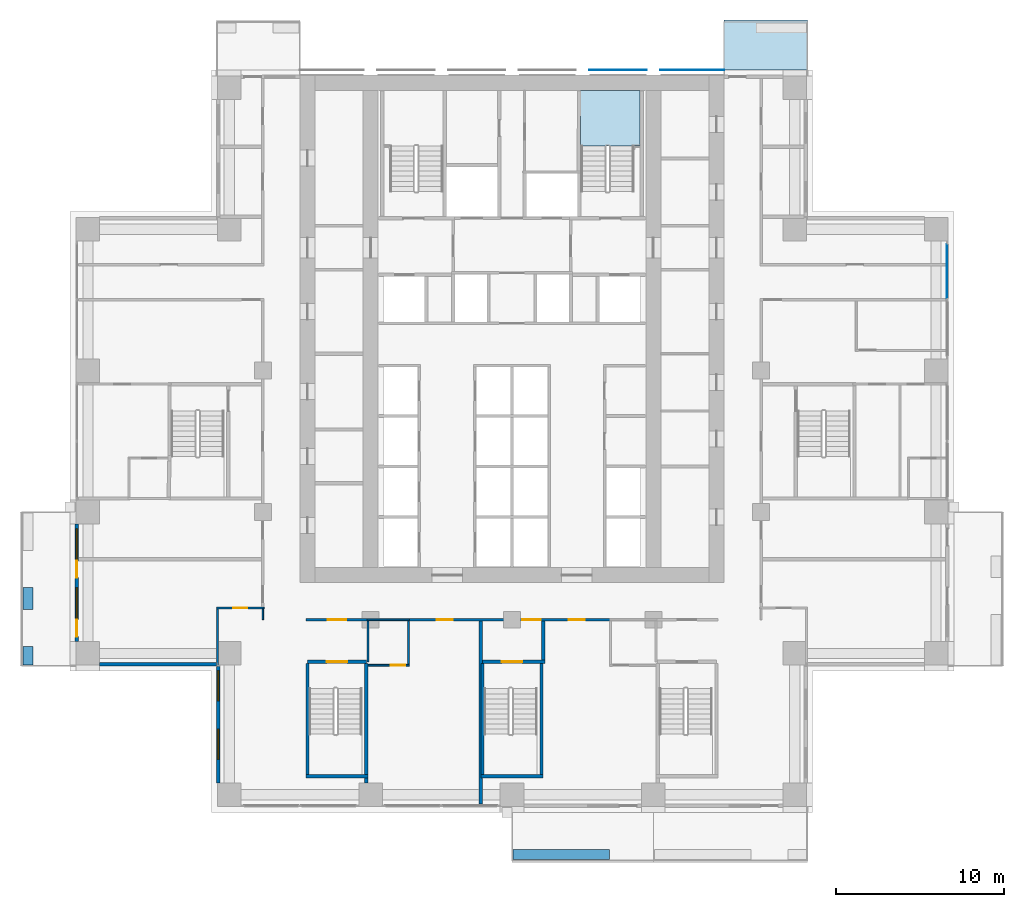
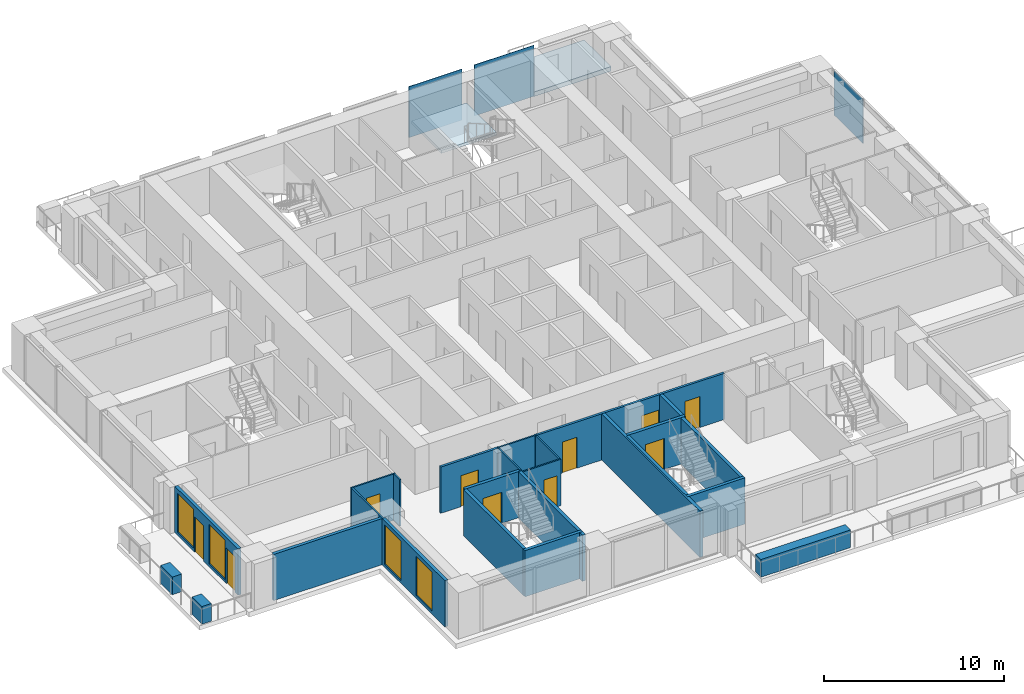
# One storey, part 8 of 17: 25 walls, 10 doors, 4 windows, 3 plates, 2 slabs, 14 openings, 2 elements without a shape of their own.
"""IFC4 building model written with IfcOpenShell, lengths in metres."""

from ifc_helpers import new_model, si_unit, direction, frame, frame_2d, origin, origin_2d, place, context, subcontext, project, spatial, polyline, rectangle, outline, extrude, material, layer, layer_set, type_object, element, fill, aggregate, save


model = new_model("IFC4")

# Units and contexts
model_context = context("Model", 3, precision=1e-05, world=origin(), true_north=direction((0.0, 1.0)))
body_context = subcontext(model_context, "Body", "Model", "MODEL_VIEW")
ifc_project = project(units=[si_unit("LENGTHUNIT", "METRE"), si_unit("AREAUNIT", "SQUARE_METRE"), si_unit("VOLUMEUNIT", "CUBIC_METRE"), si_unit("PLANEANGLEUNIT", "RADIAN"), si_unit("MASSUNIT", "GRAM", prefix="KILO")], contexts=[model_context])

# Site, building, storey
site_placement = place(None, origin())
site = spatial("IfcSite", under=ifc_project, at=site_placement, CompositionType="ELEMENT")
building_placement = place(site_placement, origin())
building = spatial("IfcBuilding", under=site, at=building_placement, Name="Vermilion Ogive Tower", CompositionType="ELEMENT")
storey_placement = place(building_placement, frame((0.0, 0.0, 65.550048828125)))
storey = spatial("IfcBuildingStorey", under=building, at=storey_placement, Name="L15", CompositionType="ELEMENT", Elevation=65.550048828125)

# Slab
ifc_material_1 = material(Name="Concrete B40", Category="concrete")
ifc_layer_1 = layer(ifc_material_1, 0.300048828125)
ifc_layer_set_1 = layer_set([ifc_layer_1], Name="Balcony slab")
slab_type_1 = type_object("IfcSlabType", Name="Balcony slab", PredefinedType="FLOOR", material=ifc_layer_set_1)
slab_1_placement = place(storey_placement, frame((0.0, 0.0, -0.340087890625)))
element("IfcSlab", 1, at=slab_1_placement, inside=storey, type_object=slab_type_1, Name="Balcony slab N101", PredefinedType="FLOOR", context=body_context, shape_type="SweptSolid", body=[
    extrude(outline(polyline([(17.550048828125, 25.030029296875), (12.60009765625, 25.030029296875), (12.60009765625, 22.050048828125), (17.550048828125, 22.050048828125), (17.550048828125, 25.030029296875)])), origin(), (0.0, 0.0, 1.0), 0.300048828125),
])

# Curtain wall, plate
ifc_material_2 = material(Name="Low-iron laminated glazing in aluminium frame", Category="aluminium")
curtain_wall_type = type_object("IfcCurtainWallType", Name="Curtain wall CW7", PredefinedType="NOTDEFINED", material=ifc_material_2)
curtain_wall_placement = place(storey_placement, origin())
curtain_wall = element("IfcCurtainWall", 2, at=curtain_wall_placement, inside=storey, type_object=curtain_wall_type, Name="Glazed skin E3", PredefinedType="NOTDEFINED")
ifc_material_3 = material(Name="Low-iron laminated glazing in aluminium frame", Category="aluminium")
ifc_layer_2 = layer(ifc_material_3, 0.031982421875)
ifc_layer_set_2 = layer_set([ifc_layer_2], Name="CW7 glazing panel 32")
plate_type_1 = type_object("IfcPlateType", Name="CW7 glazing panel 32", PredefinedType="CURTAIN_PANEL", material=ifc_layer_set_2)
plate_1_placement = place(storey_placement, frame((25.85009765625, 10.10498046875, 0.06005859375), z_axis=(0.0, 0.0, 1.0), x_axis=(0.0, 1.0, 0.0)))
plate_1 = element("IfcPlate", 3, at=plate_1_placement, type_object=plate_type_1, Name="CW7-E3 panel 2.1", PredefinedType="CURTAIN_PANEL", context=body_context, shape_type="SweptSolid", body=[
    extrude(rectangle(XDim=3.22998046875, YDim=0.031982421875, at=origin_2d()), origin(), (0.0, 0.0, 1.0), 3.010009765625),
])
aggregate(curtain_wall, [plate_1])

# Plates
ifc_material_4 = material(Name="Low-iron laminated glazing in aluminium frame", Category="aluminium")
ifc_layer_3 = layer(ifc_material_4, 0.031982421875)
ifc_layer_set_3 = layer_set([ifc_layer_3], Name="Glazed rainscreen sheet 32")
plate_type_2 = type_object("IfcPlateType", Name="Glazed rainscreen sheet 32", PredefinedType="SHEET", material=ifc_layer_set_3)
plate_2_placement = place(storey_placement, frame((6.300048828125, 22.06591796875, -0.31982421875), z_axis=(0.0, 0.0, 1.0), x_axis=(1.0, 0.0, 0.0)))
element("IfcPlate", 4, at=plate_2_placement, inside=storey, type_object=plate_type_2, Name="Glazed rainscreen sheet N5", PredefinedType="SHEET", context=body_context, shape_type="SweptSolid", body=[
    extrude(rectangle(XDim=3.39990234375, YDim=0.031982421875, at=origin_2d()), origin(), (0.0, 0.0, 1.0), 3.449951171875),
])
plate_3_placement = place(storey_placement, frame((10.7099609375, 22.06591796875, -0.31982421875), z_axis=(0.0, 0.0, 1.0), x_axis=(1.0, 0.0, 0.0)))
element("IfcPlate", 5, at=plate_3_placement, inside=storey, type_object=plate_type_2, Name="Glazed rainscreen sheet N6", PredefinedType="SHEET", context=body_context, shape_type="SweptSolid", body=[
    extrude(rectangle(XDim=3.820068359375, YDim=0.031982421875, at=origin_2d()), origin(), (0.0, 0.0, 1.0), 3.449951171875),
])

# Stair, slab
ifc_material_5 = material(Name="Concrete B40", Category="concrete")
stair_type = type_object("IfcStairType", Name="Exit stair 1500", PredefinedType="HALF_TURN_STAIR", material=ifc_material_5)
stair_placement = place(storey_placement, origin())
stair = element("IfcStair", 6, at=stair_placement, inside=storey, type_object=stair_type, Name="L15 Exit Stair ST2", PredefinedType="HALF_TURN_STAIR")
ifc_material_6 = material(Name="Concrete B40", Category="concrete")
ifc_layer_4 = layer(ifc_material_6, 0.199951171875)
ifc_layer_set_4 = layer_set([ifc_layer_4], Name="Stair landing 200")
slab_type_2 = type_object("IfcSlabType", Name="Stair landing 200", PredefinedType="LANDING", material=ifc_layer_set_4)
slab_2_placement = place(storey_placement, frame((0.0, 0.0, 1.52490234375)))
slab_2 = element("IfcSlab", 7, at=slab_2_placement, type_object=slab_type_2, Name="ST2 landing 1", PredefinedType="LANDING", context=body_context, shape_type="SweptSolid", body=[
    extrude(outline(polyline([(5.60009765625, 17.550048828125), (5.75, 17.550048828125), (5.75, 17.548095703125), (7.25, 17.548095703125), (7.25, 17.550048828125), (7.60009765625, 17.550048828125), (7.60009765625, 20.85009765625), (4.074951171875, 20.85009765625), (4.074951171875, 17.550048828125), (4.10009765625, 17.550048828125), (4.10009765625, 17.548095703125), (5.60009765625, 17.548095703125), (5.60009765625, 17.550048828125)])), origin(), (0.0, 0.0, 1.0), 0.199951171875),
])
aggregate(stair, [slab_2])

# Wall, opening, door
ifc_material_7 = material(Name="Gypsum board partition on steel studs", Category="steel")
ifc_layer_5 = layer(ifc_material_7, 0.10009765625)
ifc_layer_set_5 = layer_set([ifc_layer_5], Name="Partition 100 bath")
wall_type_1 = type_object("IfcWallType", Name="Partition 100 bath", PredefinedType="PARTITIONING", material=ifc_layer_set_5)
wall_1_placement = place(storey_placement, frame((-8.550048828125, -13.300048828125, 0.0), z_axis=(0.0, 0.0, 1.0), x_axis=(1.0, 0.0, 0.0)))
wall_1 = element("IfcWall", 8, at=wall_1_placement, inside=storey, type_object=wall_type_1, Name="L15-W-W002", PredefinedType="PARTITIONING", context=body_context, shape_type="SweptSolid", body=[
    extrude(rectangle(XDim=2.449951171875, YDim=0.10009765625, at=frame_2d((1.22509765625, 0.0))), origin(), (0.0, 0.0, 1.0), 3.1298828125),
])
opening_1_placement = place(wall_1_placement, frame((1.35009765625, 0.0, 0.0)))
opening_1 = element("IfcOpeningElement", 9, at=opening_1_placement, cuts=wall_1, Name="Opening D1G5009", PredefinedType="OPENING", context=body_context, shape_type="SweptSolid", body=[
    extrude(rectangle(XDim=0.85009765625, YDim=2.10009765625, at=frame_2d((0.425048828125, 1.050048828125))), frame((0.0, 0.06005859375, 0.0), z_axis=(0.0, -1.0, 0.0), x_axis=(1.0, 0.0, 0.0)), (0.0, 0.0, 1.0), 0.1201171875),
])
ifc_material_8 = material(Name="Timber door leaf", Category="wood")
door_type_1 = type_object("IfcDoorType", Name="Bath door 850 x 2100 FD30", OperationType="SINGLE_SWING_LEFT", PredefinedType="DOOR", material=ifc_material_8)
door_1_placement = place(opening_1_placement, origin())
door_1 = element("IfcDoor", 10, at=door_1_placement, inside=storey, type_object=door_type_1, Name="L15-D-D009", OperationType="SINGLE_SWING_LEFT", OverallHeight=2.10009765625, OverallWidth=0.85009765625, PredefinedType="DOOR", context=body_context, shape_type="SweptSolid", body=[
    extrude(rectangle(XDim=0.85009765625, YDim=2.10009765625, at=frame_2d((0.425048828125, 1.050048828125))), frame((0.0, 0.02490234375, 0.0), z_axis=(0.0, -1.0, 0.0), x_axis=(1.0, 0.0, 0.0)), (0.0, 0.0, 1.0), 0.050048828125),
])
fill(opening_1, door_1)

# Wall
wall_2_placement = place(storey_placement, frame((-8.60009765625, -10.60009765625, 0.0), z_axis=(0.0, 0.0, 1.0), x_axis=(1.0, 0.0, 0.0)))
element("IfcWall", 11, at=wall_2_placement, inside=storey, type_object=wall_type_1, Name="L15-W-W008", PredefinedType="PARTITIONING", context=body_context, shape_type="SweptSolid", body=[
    extrude(rectangle(XDim=2.5, YDim=0.10009765625, at=frame_2d((1.25, 0.0))), origin(), (0.0, 0.0, 1.0), 3.1298828125),
])

# Wall, opening, door
wall_3_placement = place(storey_placement, frame((-17.550048828125, -9.89990234375, 0.0), z_axis=(0.0, 0.0, 1.0), x_axis=(1.0, 0.0, 0.0)))
wall_3 = element("IfcWall", 12, at=wall_3_placement, inside=storey, type_object=wall_type_1, Name="L15-W-W012", PredefinedType="PARTITIONING", context=body_context, shape_type="SweptSolid", body=[
    extrude(rectangle(XDim=2.824951171875, YDim=0.10009765625, at=frame_2d((1.41259765625, 0.0))), origin(), (0.0, 0.0, 1.0), 3.1298828125),
])
opening_2_placement = place(wall_3_placement, frame((0.97509765625, 0.0, 0.0)))
opening_2 = element("IfcOpeningElement", 13, at=opening_2_placement, cuts=wall_3, Name="Opening D1G5002", PredefinedType="OPENING", context=body_context, shape_type="SweptSolid", body=[
    extrude(rectangle(XDim=0.85009765625, YDim=2.10009765625, at=frame_2d((0.425048828125, 1.050048828125))), frame((0.0, 0.06005859375, 0.0), z_axis=(0.0, -1.0, 0.0), x_axis=(1.0, 0.0, 0.0)), (0.0, 0.0, 1.0), 0.1201171875),
])
door_2_placement = place(opening_2_placement, origin())
door_2 = element("IfcDoor", 14, at=door_2_placement, inside=storey, type_object=door_type_1, Name="L15-D-D002", OperationType="SINGLE_SWING_RIGHT", OverallHeight=2.10009765625, OverallWidth=0.85009765625, PredefinedType="DOOR", context=body_context, shape_type="SweptSolid", body=[
    extrude(rectangle(XDim=0.85009765625, YDim=2.10009765625, at=frame_2d((0.425048828125, 1.050048828125))), frame((0.0, 0.02490234375, 0.0), z_axis=(0.0, -1.0, 0.0), x_axis=(1.0, 0.0, 0.0)), (0.0, 0.0, 1.0), 0.050048828125),
])
fill(opening_2, door_2)

# Walls
wall_4_placement = place(storey_placement, frame((-17.5, -13.35009765625, 0.0), z_axis=(0.0, 0.0, 1.0), x_axis=(0.0, 1.0, 0.0)))
element("IfcWall", 15, at=wall_4_placement, inside=storey, type_object=wall_type_1, Name="L15-W-W039", PredefinedType="PARTITIONING", context=body_context, shape_type="SweptSolid", body=[
    extrude(rectangle(XDim=3.400146484375, YDim=0.10009765625, at=frame_2d((1.7001953125, 0.0))), origin(), (0.0, 0.0, 1.0), 3.1298828125),
])
wall_5_placement = place(storey_placement, frame((-14.800048828125, -10.60009765625, 0.0), z_axis=(0.0, 0.0, 1.0), x_axis=(0.0, 1.0, 0.0)))
element("IfcWall", 16, at=wall_5_placement, inside=storey, type_object=wall_type_1, Name="L15-W-W041", PredefinedType="PARTITIONING", context=body_context, shape_type="SweptSolid", body=[
    extrude(rectangle(XDim=0.650146484375, YDim=0.10009765625, at=frame_2d((0.3251953125, 0.0))), origin(), (0.0, 0.0, 1.0), 3.1298828125),
])
wall_6_placement = place(storey_placement, frame((-8.550048828125, -13.10009765625, 0.0), z_axis=(0.0, 0.0, 1.0), x_axis=(0.0, 1.0, 0.0)))
element("IfcWall", 17, at=wall_6_placement, inside=storey, type_object=wall_type_1, Name="L15-W-W044", PredefinedType="PARTITIONING", context=body_context, shape_type="SweptSolid", body=[
    extrude(rectangle(XDim=2.425048828125, YDim=0.10009765625, at=frame_2d((1.21240234375, 0.0))), origin(), (0.0, 0.0, 1.0), 3.1298828125),
])
wall_7_placement = place(storey_placement, frame((-6.14990234375, -13.25, 0.0), z_axis=(0.0, 0.0, 1.0), x_axis=(0.0, 1.0, 0.0)))
element("IfcWall", 18, at=wall_7_placement, inside=storey, type_object=wall_type_1, Name="L15-W-W045", PredefinedType="PARTITIONING", context=body_context, shape_type="SweptSolid", body=[
    extrude(rectangle(XDim=2.574951171875, YDim=0.10009765625, at=frame_2d((1.28759765625, 0.0))), origin(), (0.0, 0.0, 1.0), 3.1298828125),
])

# Wall, opening, door
ifc_material_9 = material(Name="Gypsum board partition on steel studs", Category="steel")
ifc_layer_6 = layer(ifc_material_9, 0.14990234375)
ifc_layer_set_6 = layer_set([ifc_layer_6], Name="Partition 150 corridor")
wall_type_2 = type_object("IfcWallType", Name="Partition 150 corridor", PredefinedType="PARTITIONING", material=ifc_layer_set_6)
wall_8_placement = place(storey_placement, frame((-12.25, -10.60009765625, 0.0), z_axis=(0.0, 0.0, 1.0), x_axis=(1.0, 0.0, 0.0)))
wall_8 = element("IfcWall", 19, at=wall_8_placement, inside=storey, type_object=wall_type_2, Name="L15-W-W007", PredefinedType="PARTITIONING", context=body_context, shape_type="SweptSolid", body=[
    extrude(rectangle(XDim=3.75, YDim=0.14990234375, at=frame_2d((1.875, 0.0))), origin(), (0.0, 0.0, 1.0), 3.1298828125),
])
opening_3_placement = place(wall_8_placement, frame((1.300048828125, 0.0, 0.0)))
opening_3 = element("IfcOpeningElement", 20, at=opening_3_placement, cuts=wall_8, Name="Opening D1G5021", PredefinedType="OPENING", context=body_context, shape_type="SweptSolid", body=[
    extrude(rectangle(XDim=1.10009765625, YDim=2.10009765625, at=frame_2d((0.550048828125, 1.050048828125))), frame((0.0, 0.0849609375, 0.0), z_axis=(0.0, -1.0, 0.0), x_axis=(1.0, 0.0, 0.0)), (0.0, 0.0, 1.0), 0.169921875),
])
ifc_material_10 = material(Name="Timber door leaf", Category="wood")
door_type_2 = type_object("IfcDoorType", Name="Stair door 1100 x 2100 FD60S", OperationType="SINGLE_SWING_LEFT", PredefinedType="DOOR", material=ifc_material_10)
door_3_placement = place(opening_3_placement, origin())
door_3 = element("IfcDoor", 21, at=door_3_placement, inside=storey, type_object=door_type_2, Name="L15-D-D021", OperationType="SINGLE_SWING_RIGHT", OverallHeight=2.10009765625, OverallWidth=1.10009765625, PredefinedType="DOOR", context=body_context, shape_type="SweptSolid", body=[
    extrude(rectangle(XDim=1.10009765625, YDim=2.10009765625, at=frame_2d((0.550048828125, 1.050048828125))), frame((0.0, 0.02490234375, 0.0), z_axis=(0.0, -1.0, 0.0), x_axis=(1.0, 0.0, 0.0)), (0.0, 0.0, 1.0), 0.050048828125),
])
fill(opening_3, door_3)

# Wall, openings, doors
wall_9_placement = place(storey_placement, frame((-6.199951171875, -10.60009765625, 0.0), z_axis=(0.0, 0.0, 1.0), x_axis=(1.0, 0.0, 0.0)))
wall_9 = element("IfcWall", 22, at=wall_9_placement, inside=storey, type_object=wall_type_2, Name="L15-W-W009", PredefinedType="PARTITIONING", context=body_context, shape_type="SweptSolid", body=[
    extrude(rectangle(XDim=12.099853515625, YDim=0.14990234375, at=frame_2d((6.0498046875, 0.0))), origin(), (0.0, 0.0, 1.0), 3.1298828125),
])
opening_4_placement = place(wall_9_placement, frame((1.724853515625, 0.0, 0.0)))
opening_4 = element("IfcOpeningElement", 23, at=opening_4_placement, cuts=wall_9, Name="Opening D1G5008", PredefinedType="OPENING", context=body_context, shape_type="SweptSolid", body=[
    extrude(rectangle(XDim=0.949951171875, YDim=2.10009765625, at=frame_2d((0.47509765625, 1.050048828125))), frame((0.0, 0.0849609375, 0.0), z_axis=(0.0, -1.0, 0.0), x_axis=(1.0, 0.0, 0.0)), (0.0, 0.0, 1.0), 0.169921875),
])
opening_5_placement = place(wall_9_placement, frame((9.574951171875, 0.0, 0.0)))
opening_5 = element("IfcOpeningElement", 24, at=opening_5_placement, cuts=wall_9, Name="Opening D1G5010", PredefinedType="OPENING", context=body_context, shape_type="SweptSolid", body=[
    extrude(rectangle(XDim=0.949951171875, YDim=2.10009765625, at=frame_2d((0.47509765625, 1.050048828125))), frame((0.0, 0.0849609375, 0.0), z_axis=(0.0, -1.0, 0.0), x_axis=(1.0, 0.0, 0.0)), (0.0, 0.0, 1.0), 0.169921875),
])
opening_6_placement = place(wall_9_placement, frame((6.800048828125, 0.0, 0.0)))
opening_6 = element("IfcOpeningElement", 25, at=opening_6_placement, cuts=wall_9, Name="Opening D1G5023", PredefinedType="OPENING", context=body_context, shape_type="SweptSolid", body=[
    extrude(rectangle(XDim=1.10009765625, YDim=2.10009765625, at=frame_2d((0.550048828125, 1.050048828125))), frame((0.0, 0.0849609375, 0.0), z_axis=(0.0, -1.0, 0.0), x_axis=(1.0, 0.0, 0.0)), (0.0, 0.0, 1.0), 0.169921875),
])
door_4_placement = place(opening_6_placement, origin())
door_4 = element("IfcDoor", 26, at=door_4_placement, inside=storey, type_object=door_type_2, Name="L15-D-D023", OperationType="SINGLE_SWING_RIGHT", OverallHeight=2.10009765625, OverallWidth=1.10009765625, PredefinedType="DOOR", context=body_context, shape_type="SweptSolid", body=[
    extrude(rectangle(XDim=1.10009765625, YDim=2.10009765625, at=frame_2d((0.550048828125, 1.050048828125))), frame((0.0, 0.02490234375, 0.0), z_axis=(0.0, -1.0, 0.0), x_axis=(1.0, 0.0, 0.0)), (0.0, 0.0, 1.0), 0.050048828125),
])
fill(opening_6, door_4)
ifc_material_11 = material(Name="Timber door leaf", Category="wood")
door_type_3 = type_object("IfcDoorType", Name="Unit door 950 x 2100 FD30S", OperationType="SINGLE_SWING_LEFT", PredefinedType="DOOR", material=ifc_material_11)
door_5_placement = place(opening_4_placement, origin())
door_5 = element("IfcDoor", 27, at=door_5_placement, inside=storey, type_object=door_type_3, Name="L15-D-D008", OperationType="SINGLE_SWING_LEFT", OverallHeight=2.10009765625, OverallWidth=0.949951171875, PredefinedType="DOOR", context=body_context, shape_type="SweptSolid", body=[
    extrude(rectangle(XDim=0.949951171875, YDim=2.10009765625, at=frame_2d((0.47509765625, 1.050048828125))), frame((0.0, 0.02490234375, 0.0), z_axis=(0.0, -1.0, 0.0), x_axis=(1.0, 0.0, 0.0)), (0.0, 0.0, 1.0), 0.050048828125),
])
fill(opening_4, door_5)
door_6_placement = place(opening_5_placement, origin())
door_6 = element("IfcDoor", 28, at=door_6_placement, inside=storey, type_object=door_type_3, Name="L15-D-D010", OperationType="SINGLE_SWING_RIGHT", OverallHeight=2.10009765625, OverallWidth=0.949951171875, PredefinedType="DOOR", context=body_context, shape_type="SweptSolid", body=[
    extrude(rectangle(XDim=0.949951171875, YDim=2.10009765625, at=frame_2d((0.47509765625, 1.050048828125))), frame((0.0, 0.02490234375, 0.0), z_axis=(0.0, -1.0, 0.0), x_axis=(1.0, 0.0, 0.0)), (0.0, 0.0, 1.0), 0.050048828125),
])
fill(opening_5, door_6)

# Wall
ifc_material_12 = material(Name="Concrete B60", Category="concrete")
ifc_layer_7 = layer(ifc_material_12, 0.199951171875)
ifc_layer_set_7 = layer_set([ifc_layer_7], Name="Stair shaft wall 200 Concrete B60")
wall_type_3 = type_object("IfcWallType", Name="Stair shaft wall 200 Concrete B60", PredefinedType="SOLIDWALL", material=ifc_layer_set_7)
wall_10_placement = place(storey_placement, frame((-1.847900390625, -19.89990234375, 0.0), z_axis=(0.0, 0.0, 1.0), x_axis=(1.0, 0.0, 0.0)))
element("IfcWall", 29, at=wall_10_placement, inside=storey, type_object=wall_type_3, Name="L15-W-W001", PredefinedType="SOLIDWALL", context=body_context, shape_type="SweptSolid", body=[
    extrude(rectangle(XDim=3.69580078125, YDim=0.199951171875, at=frame_2d((1.847900390625, 0.0))), origin(), (0.0, 0.0, 1.0), 3.1298828125),
])

# Wall, opening, door
wall_11_placement = place(storey_placement, frame((-12.14990234375, -13.10009765625, 0.0), z_axis=(0.0, 0.0, 1.0), x_axis=(1.0, 0.0, 0.0)))
wall_11 = element("IfcWall", 30, at=wall_11_placement, inside=storey, type_object=wall_type_3, Name="L15-W-W004", PredefinedType="SOLIDWALL", context=body_context, shape_type="SweptSolid", body=[
    extrude(rectangle(XDim=3.5, YDim=0.199951171875, at=frame_2d((1.75, 0.0))), origin(), (0.0, 0.0, 1.0), 3.1298828125),
])
opening_7_placement = place(wall_11_placement, frame((1.14990234375, 0.0, 0.0)))
opening_7 = element("IfcOpeningElement", 31, at=opening_7_placement, cuts=wall_11, Name="Opening D1G5022", PredefinedType="OPENING", context=body_context, shape_type="SweptSolid", body=[
    extrude(rectangle(XDim=1.199951171875, YDim=2.10009765625, at=frame_2d((0.60009765625, 1.050048828125))), frame((0.0, 0.10986328125, 0.0), z_axis=(0.0, -1.0, 0.0), x_axis=(1.0, 0.0, 0.0)), (0.0, 0.0, 1.0), 0.219970703125),
])
ifc_material_13 = material(Name="Timber door leaf", Category="wood")
door_type_4 = type_object("IfcDoorType", Name="Stair door 1200 x 2100 FD60S", OperationType="SINGLE_SWING_LEFT", PredefinedType="DOOR", material=ifc_material_13)
door_7_placement = place(opening_7_placement, origin())
door_7 = element("IfcDoor", 32, at=door_7_placement, inside=storey, type_object=door_type_4, Name="L15-D-D022", OperationType="SINGLE_SWING_RIGHT", OverallHeight=2.10009765625, OverallWidth=1.199951171875, PredefinedType="DOOR", context=body_context, shape_type="SweptSolid", body=[
    extrude(rectangle(XDim=1.199951171875, YDim=2.10009765625, at=frame_2d((0.60009765625, 1.050048828125))), frame((0.0, 0.02490234375, 0.0), z_axis=(0.0, -1.0, 0.0), x_axis=(1.0, 0.0, 0.0)), (0.0, 0.0, 1.0), 0.050048828125),
])
fill(opening_7, door_7)

wall_12_placement = place(storey_placement, frame((-1.748046875, -13.10009765625, 0.0), z_axis=(0.0, 0.0, 1.0), x_axis=(1.0, 0.0, 0.0)))
wall_12 = element("IfcWall", 33, at=wall_12_placement, inside=storey, type_object=wall_type_3, Name="L15-W-W005", PredefinedType="SOLIDWALL", context=body_context, shape_type="SweptSolid", body=[
    extrude(rectangle(XDim=3.696044921875, YDim=0.199951171875, at=frame_2d((1.84814453125, 0.0))), origin(), (0.0, 0.0, 1.0), 3.1298828125),
])
opening_8_placement = place(wall_12_placement, frame((1.14794921875, 0.0, 0.0)))
opening_8 = element("IfcOpeningElement", 34, at=opening_8_placement, cuts=wall_12, Name="Opening D1G5024", PredefinedType="OPENING", context=body_context, shape_type="SweptSolid", body=[
    extrude(rectangle(XDim=1.199951171875, YDim=2.10009765625, at=frame_2d((0.60009765625, 1.050048828125))), frame((0.0, 0.10986328125, 0.0), z_axis=(0.0, -1.0, 0.0), x_axis=(1.0, 0.0, 0.0)), (0.0, 0.0, 1.0), 0.219970703125),
])
door_8_placement = place(opening_8_placement, origin())
door_8 = element("IfcDoor", 35, at=door_8_placement, inside=storey, type_object=door_type_4, Name="L15-D-D024", OperationType="SINGLE_SWING_RIGHT", OverallHeight=2.10009765625, OverallWidth=1.199951171875, PredefinedType="DOOR", context=body_context, shape_type="SweptSolid", body=[
    extrude(rectangle(XDim=1.199951171875, YDim=2.10009765625, at=frame_2d((0.60009765625, 1.050048828125))), frame((0.0, 0.02490234375, 0.0), z_axis=(0.0, -1.0, 0.0), x_axis=(1.0, 0.0, 0.0)), (0.0, 0.0, 1.0), 0.050048828125),
])
fill(opening_8, door_8)

# Walls
for number, where, z_axis, x_axis, name in (
    (36, (-1.75, -19.798095703125, 0.0), (0.0, 0.0, 1.0), (0.0, 1.0, 0.0), "L15-W-W047"),
    (37, (1.75, -19.798095703125, 0.0), (0.0, 0.0, 1.0), (0.0, 1.0, 0.0), "L15-W-W048"),
):
    element("IfcWall", number, at=place(storey_placement, frame(where, z_axis=z_axis, x_axis=x_axis)), inside=storey, type_object=wall_type_3, Name=name, PredefinedType="SOLIDWALL", context=body_context, shape_type="SweptSolid", body=[
        extrude(rectangle(XDim=6.59619140625, YDim=0.199951171875, at=frame_2d((3.298095703125, 0.0))), origin(), (0.0, 0.0, 1.0), 3.1298828125),
    ])
wall_13_placement = place(storey_placement, frame((1.85009765625, -12.998046875, 0.0), z_axis=(0.0, 0.0, 1.0), x_axis=(0.0, 1.0, 0.0)))
element("IfcWall", 38, at=wall_13_placement, inside=storey, type_object=wall_type_3, Name="L15-W-W049", PredefinedType="SOLIDWALL", context=body_context, shape_type="SweptSolid", body=[
    extrude(rectangle(XDim=2.322998046875, YDim=0.199951171875, at=frame_2d((1.16162109375, 0.0))), origin(), (0.0, 0.0, 1.0), 3.1298828125),
])
wall_14_placement = place(storey_placement, frame((-12.25, -19.89990234375, 0.0), z_axis=(0.0, 0.0, 1.0), x_axis=(1.0, 0.0, 0.0)))
element("IfcWall", 39, at=wall_14_placement, inside=storey, type_object=wall_type_3, Name="L15-SW-ST3-S1", PredefinedType="SOLIDWALL", context=body_context, shape_type="SweptSolid", body=[
    extrude(rectangle(XDim=3.699951171875, YDim=0.199951171875, at=frame_2d((1.85009765625, 0.0))), origin(), (0.0, 0.0, 1.0), 3.1298828125),
])
wall_15_placement = place(storey_placement, frame((-12.14990234375, -19.800048828125, 0.0), z_axis=(0.0, 0.0, 1.0), x_axis=(0.0, 1.0, 0.0)))
element("IfcWall", 40, at=wall_15_placement, inside=storey, type_object=wall_type_3, Name="L15-SW-ST3-W1", PredefinedType="SOLIDWALL", context=body_context, shape_type="SweptSolid", body=[
    extrude(rectangle(XDim=6.60009765625, YDim=0.199951171875, at=frame_2d((3.300048828125, 0.0))), origin(), (0.0, 0.0, 1.0), 3.1298828125),
])
wall_16_placement = place(storey_placement, frame((-8.64990234375, -20.300048828125, 0.0), z_axis=(0.0, 0.0, 1.0), x_axis=(0.0, 1.0, 0.0)))
element("IfcWall", 41, at=wall_16_placement, inside=storey, type_object=wall_type_3, Name="L15-SW-ST3-E1", PredefinedType="SOLIDWALL", context=body_context, shape_type="SweptSolid", body=[
    extrude(rectangle(XDim=7.10009765625, YDim=0.199951171875, at=frame_2d((3.550048828125, 0.0))), origin(), (0.0, 0.0, 1.0), 3.1298828125),
])
wall_17_placement = place(storey_placement, frame((-1.85009765625, -21.550048828125, 0.0), z_axis=(0.0, 0.0, 1.0), x_axis=(0.0, 1.0, 0.0)))
element("IfcWall", 42, at=wall_17_placement, inside=storey, type_object=wall_type_3, Name="L15-W-W046-A", PredefinedType="SOLIDWALL", context=body_context, shape_type="SweptSolid", body=[
    extrude(rectangle(XDim=10.875, YDim=0.199951171875, at=frame_2d((5.4375, 0.0))), origin(), (0.0, 0.0, 1.0), 3.1298828125),
])
ifc_material_14 = material(Name="Concrete B40", Category="concrete")
ifc_layer_8 = layer(ifc_material_14, 0.60009765625)
ifc_layer_set_8 = layer_set([ifc_layer_8], Name="Structural planter")
wall_type_4 = type_object("IfcWallType", Name="Structural planter", PredefinedType="USERDEFINED", material=ifc_layer_set_8)
wall_18_placement = place(storey_placement, frame((0.06005859375, -24.550048828125, -0.0400390625), z_axis=(0.0, 0.0, 1.0), x_axis=(1.0, 0.0, 0.0)))
element("IfcWall", 43, at=wall_18_placement, inside=storey, type_object=wall_type_4, Name="Planter S03A1", ObjectType="PLANTER", PredefinedType="USERDEFINED", context=body_context, shape_type="SweptSolid", body=[
    extrude(rectangle(XDim=5.739990234375, YDim=0.60009765625, at=frame_2d((2.8701171875, 0.0))), origin(), (0.0, 0.0, 1.0), 1.199951171875),
])
wall_19_placement = place(storey_placement, frame((-28.75, -8.699951171875, -0.0400390625), z_axis=(0.0, 0.0, 1.0), x_axis=(0.0, -1.0, 0.0)))
element("IfcWall", 44, at=wall_19_placement, inside=storey, type_object=wall_type_4, Name="Planter W03A2", ObjectType="PLANTER", PredefinedType="USERDEFINED", context=body_context, shape_type="SweptSolid", body=[
    extrude(rectangle(XDim=1.300048828125, YDim=0.60009765625, at=frame_2d((0.64990234375, 0.0))), origin(), (0.0, 0.0, 1.0), 1.199951171875),
])
wall_20_placement = place(storey_placement, frame((-28.75, -12.199951171875, -0.0400390625), z_axis=(0.0, 0.0, 1.0), x_axis=(0.0, -1.0, 0.0)))
element("IfcWall", 45, at=wall_20_placement, inside=storey, type_object=wall_type_4, Name="Planter W03A3", ObjectType="PLANTER", PredefinedType="USERDEFINED", context=body_context, shape_type="SweptSolid", body=[
    extrude(rectangle(XDim=1.090087890625, YDim=0.60009765625, at=frame_2d((0.544921875, 0.0))), origin(), (0.0, 0.0, 1.0), 1.199951171875),
])

# Wall, openings, doors, windows
ifc_material_15 = material(Name="Aluminium window wall framing", Category="aluminium")
ifc_layer_9 = layer(ifc_material_15, 0.199951171875)
ifc_layer_set_9 = layer_set([ifc_layer_9], Name="Window wall")
wall_type_5 = type_object("IfcWallType", Name="Window wall", PredefinedType="STANDARD", material=ifc_layer_set_9)
wall_21_placement = place(storey_placement, frame((-25.85009765625, -4.89990234375, 0.0), z_axis=(0.0, 0.0, 1.0), x_axis=(0.0, -1.0, 0.0)))
wall_21 = element("IfcWall", 46, at=wall_21_placement, inside=storey, type_object=wall_type_5, Name="Window wall W3", PredefinedType="STANDARD", context=body_context, shape_type="SweptSolid", body=[
    extrude(rectangle(XDim=7.0, YDim=0.199951171875, at=frame_2d((3.5, 0.0))), origin(), (0.0, 0.0, 1.0), 3.1298828125),
])
opening_9_placement = place(wall_21_placement, frame((3.800048828125, 0.0, 0.199951171875)))
opening_9 = element("IfcOpeningElement", 47, at=opening_9_placement, cuts=wall_21, Name="Opening W1-W97", PredefinedType="OPENING", context=body_context, shape_type="SweptSolid", body=[
    extrude(rectangle(XDim=1.800048828125, YDim=2.64990234375, at=frame_2d((0.89990234375, 1.324951171875))), frame((0.0, 0.10986328125, 0.0), z_axis=(0.0, -1.0, 0.0), x_axis=(1.0, 0.0, 0.0)), (0.0, 0.0, 1.0), 0.219970703125),
])
opening_10_placement = place(wall_21_placement, frame((5.699951171875, 0.0, 0.0)))
opening_10 = element("IfcOpeningElement", 48, at=opening_10_placement, cuts=wall_21, Name="Opening D1-W97", PredefinedType="OPENING", context=body_context, shape_type="SweptSolid", body=[
    extrude(rectangle(XDim=1.0, YDim=2.39990234375, at=frame_2d((0.5, 1.199951171875))), frame((0.0, 0.10986328125, 0.0), z_axis=(0.0, -1.0, 0.0), x_axis=(1.0, 0.0, 0.0)), (0.0, 0.0, 1.0), 0.219970703125),
])
opening_11_placement = place(wall_21_placement, frame((0.300048828125, 0.0, 0.199951171875)))
opening_11 = element("IfcOpeningElement", 49, at=opening_11_placement, cuts=wall_21, Name="Opening W1-W98", PredefinedType="OPENING", context=body_context, shape_type="SweptSolid", body=[
    extrude(rectangle(XDim=1.800048828125, YDim=2.64990234375, at=frame_2d((0.89990234375, 1.324951171875))), frame((0.0, 0.10986328125, 0.0), z_axis=(0.0, -1.0, 0.0), x_axis=(1.0, 0.0, 0.0)), (0.0, 0.0, 1.0), 0.219970703125),
])
opening_12_placement = place(wall_21_placement, frame((2.199951171875, 0.0, 0.0)))
opening_12 = element("IfcOpeningElement", 50, at=opening_12_placement, cuts=wall_21, Name="Opening D1-W98", PredefinedType="OPENING", context=body_context, shape_type="SweptSolid", body=[
    extrude(rectangle(XDim=1.0, YDim=2.39990234375, at=frame_2d((0.5, 1.199951171875))), frame((0.0, 0.10986328125, 0.0), z_axis=(0.0, -1.0, 0.0), x_axis=(1.0, 0.0, 0.0)), (0.0, 0.0, 1.0), 0.219970703125),
])
ifc_material_16 = material(Name="Aluminium framed glazed door", Category="aluminium")
door_type_5 = type_object("IfcDoorType", Name="Balcony door D1", OperationType="SINGLE_SWING_LEFT", PredefinedType="DOOR", material=ifc_material_16)
door_9_placement = place(opening_10_placement, origin())
door_9 = element("IfcDoor", 51, at=door_9_placement, inside=storey, type_object=door_type_5, Name="Balcony door W97", OperationType="SINGLE_SWING_LEFT", OverallHeight=2.39990234375, OverallWidth=1.0, PredefinedType="DOOR", context=body_context, shape_type="SweptSolid", body=[
    extrude(rectangle(XDim=1.0, YDim=2.39990234375, at=frame_2d((0.5, 1.199951171875))), frame((0.0, 0.02490234375, 0.0), z_axis=(0.0, -1.0, 0.0), x_axis=(1.0, 0.0, 0.0)), (0.0, 0.0, 1.0), 0.050048828125),
])
fill(opening_10, door_9)
door_10_placement = place(opening_12_placement, origin())
door_10 = element("IfcDoor", 52, at=door_10_placement, inside=storey, type_object=door_type_5, Name="Balcony door W98", OperationType="SINGLE_SWING_LEFT", OverallHeight=2.39990234375, OverallWidth=1.0, PredefinedType="DOOR", context=body_context, shape_type="SweptSolid", body=[
    extrude(rectangle(XDim=1.0, YDim=2.39990234375, at=frame_2d((0.5, 1.199951171875))), frame((0.0, 0.02490234375, 0.0), z_axis=(0.0, -1.0, 0.0), x_axis=(1.0, 0.0, 0.0)), (0.0, 0.0, 1.0), 0.050048828125),
])
fill(opening_12, door_10)
ifc_material_17 = material(Name="Aluminium framed double glazing", Category="aluminium")
window_type = type_object("IfcWindowType", Name="Guest window W1", PartitioningType="SINGLE_PANEL", PredefinedType="WINDOW", material=ifc_material_17)
window_1_placement = place(opening_9_placement, origin())
window_1 = element("IfcWindow", 53, at=window_1_placement, inside=storey, type_object=window_type, Name="Window W97", OverallHeight=2.64990234375, OverallWidth=1.800048828125, PartitioningType="SINGLE_PANEL", PredefinedType="WINDOW", context=body_context, shape_type="SweptSolid", body=[
    extrude(rectangle(XDim=1.800048828125, YDim=2.64990234375, at=frame_2d((0.89990234375, 1.324951171875))), frame((0.0, 0.030029296875, 0.0), z_axis=(0.0, -1.0, 0.0), x_axis=(1.0, 0.0, 0.0)), (0.0, 0.0, 1.0), 0.06005859375),
])
fill(opening_9, window_1)
window_2_placement = place(opening_11_placement, origin())
window_2 = element("IfcWindow", 54, at=window_2_placement, inside=storey, type_object=window_type, Name="Window W98", OverallHeight=2.64990234375, OverallWidth=1.800048828125, PartitioningType="SINGLE_PANEL", PredefinedType="WINDOW", context=body_context, shape_type="SweptSolid", body=[
    extrude(rectangle(XDim=1.800048828125, YDim=2.64990234375, at=frame_2d((0.89990234375, 1.324951171875))), frame((0.0, 0.030029296875, 0.0), z_axis=(0.0, -1.0, 0.0), x_axis=(1.0, 0.0, 0.0)), (0.0, 0.0, 1.0), 0.06005859375),
])
fill(opening_11, window_2)

# Wall
wall_22_placement = place(storey_placement, frame((-24.5, -13.25, 0.0), z_axis=(0.0, 0.0, 1.0), x_axis=(1.0, 0.0, 0.0)))
element("IfcWall", 55, at=wall_22_placement, inside=storey, type_object=wall_type_5, Name="Window wall X71", PredefinedType="STANDARD", context=body_context, shape_type="SweptSolid", body=[
    extrude(rectangle(XDim=6.949951171875, YDim=0.199951171875, at=frame_2d((3.47509765625, 0.0))), origin(), (0.0, 0.0, 1.0), 3.1298828125),
])

# Wall, openings, windows
wall_23_placement = place(storey_placement, frame((-17.449951171875, -13.35009765625, 0.0), z_axis=(0.0, 0.0, 1.0), x_axis=(0.0, -1.0, 0.0)))
wall_23 = element("IfcWall", 56, at=wall_23_placement, inside=storey, type_object=wall_type_5, Name="Window wall X81", PredefinedType="STANDARD", context=body_context, shape_type="SweptSolid", body=[
    extrude(rectangle(XDim=6.949951171875, YDim=0.199951171875, at=frame_2d((3.47509765625, 0.0))), origin(), (0.0, 0.0, 1.0), 3.1298828125),
])
opening_13_placement = place(wall_23_placement, frame((3.75, 0.0, 0.199951171875)))
opening_13 = element("IfcOpeningElement", 57, at=opening_13_placement, cuts=wall_23, Name="Opening W1-X895", PredefinedType="OPENING", context=body_context, shape_type="SweptSolid", body=[
    extrude(rectangle(XDim=1.800048828125, YDim=2.64990234375, at=frame_2d((0.89990234375, 1.324951171875))), frame((0.0, 0.10986328125, 0.0), z_axis=(0.0, -1.0, 0.0), x_axis=(1.0, 0.0, 0.0)), (0.0, 0.0, 1.0), 0.219970703125),
])
opening_14_placement = place(wall_23_placement, frame((0.27490234375, 0.0, 0.199951171875)))
opening_14 = element("IfcOpeningElement", 58, at=opening_14_placement, cuts=wall_23, Name="Opening W1-X896", PredefinedType="OPENING", context=body_context, shape_type="SweptSolid", body=[
    extrude(rectangle(XDim=1.800048828125, YDim=2.64990234375, at=frame_2d((0.89990234375, 1.324951171875))), frame((0.0, 0.10986328125, 0.0), z_axis=(0.0, -1.0, 0.0), x_axis=(1.0, 0.0, 0.0)), (0.0, 0.0, 1.0), 0.219970703125),
])
window_3_placement = place(opening_13_placement, origin())
window_3 = element("IfcWindow", 59, at=window_3_placement, inside=storey, type_object=window_type, Name="Window X895", OverallHeight=2.64990234375, OverallWidth=1.800048828125, PartitioningType="SINGLE_PANEL", PredefinedType="WINDOW", context=body_context, shape_type="SweptSolid", body=[
    extrude(rectangle(XDim=1.800048828125, YDim=2.64990234375, at=frame_2d((0.89990234375, 1.324951171875))), frame((0.0, 0.030029296875, 0.0), z_axis=(0.0, -1.0, 0.0), x_axis=(1.0, 0.0, 0.0)), (0.0, 0.0, 1.0), 0.06005859375),
])
fill(opening_13, window_3)
window_4_placement = place(opening_14_placement, origin())
window_4 = element("IfcWindow", 60, at=window_4_placement, inside=storey, type_object=window_type, Name="Window X896", OverallHeight=2.64990234375, OverallWidth=1.800048828125, PartitioningType="SINGLE_PANEL", PredefinedType="WINDOW", context=body_context, shape_type="SweptSolid", body=[
    extrude(rectangle(XDim=1.800048828125, YDim=2.64990234375, at=frame_2d((0.89990234375, 1.324951171875))), frame((0.0, 0.030029296875, 0.0), z_axis=(0.0, -1.0, 0.0), x_axis=(1.0, 0.0, 0.0)), (0.0, 0.0, 1.0), 0.06005859375),
])
fill(opening_14, window_4)

save(model, "model.ifc")
